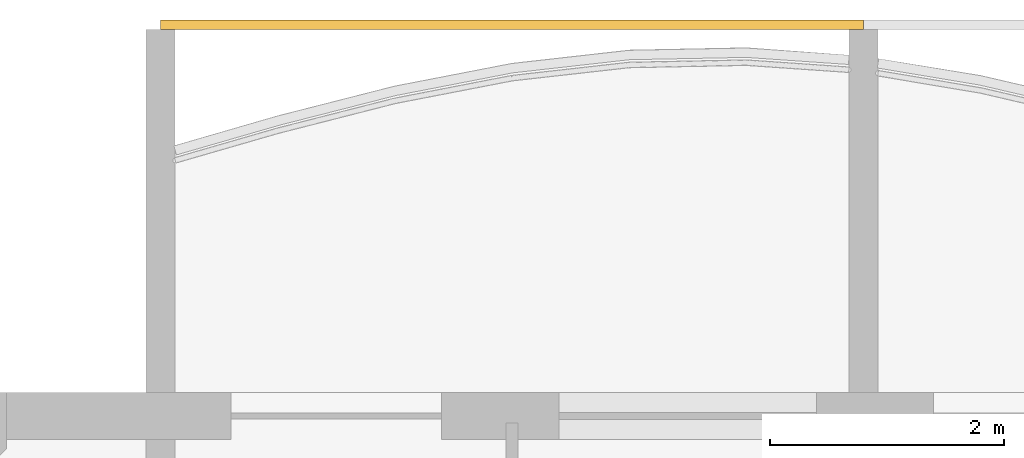
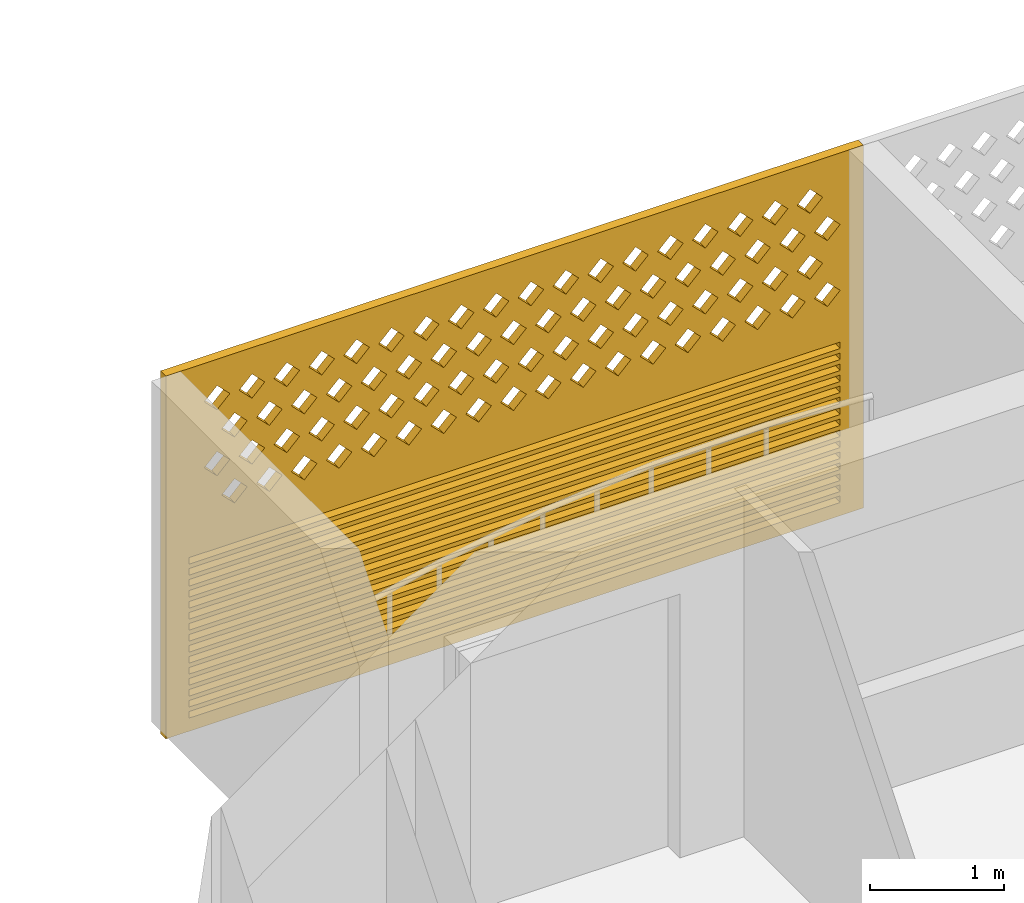
# One storey, part 17 of 27: 1 covering.
"""IFC4 building model written with IfcOpenShell, lengths in metres."""

import ifcopenshell
import ifcopenshell.guid

model = None  # the IFC model being written
_history = None  # IfcOwnerHistory: only IFC2X3 demands one
_inside = {}  # id of a spatial element -> (the spatial element, [elements in it])
_under = {}  # id of a project, library or spatial element -> (it, [spatial elements below it])
_declared = {}  # id of a project -> (the project, [libraries it declares])
_typed = {}  # id of a type object -> (the type object, [elements of that type])
_made_of = {}  # id of a material, layer set ... -> (it, [elements and type objects made of it])


def new_model(schema):
    """Start an empty IFC model of exactly this schema.

    Asked for "IFC4X3", IfcOpenShell would pick the latest addendum, in which some entities
    have other attributes; the version numbers below select the first issue.
    IFC2X3 requires an IfcOwnerHistory on every rooted entity: one is made here for all.
    """
    global model, _history
    if schema == "IFC4X3":
        model = ifcopenshell.file(schema_version=(4, 3, 0, 0))
    else:
        model = ifcopenshell.file(schema=schema)
    _inside.clear()
    _under.clear()
    _declared.clear()
    _typed.clear()
    _made_of.clear()
    _history = None
    if model.schema == "IFC2X3":
        org = make("IfcOrganization", Name="unknown")
        user = make(
            "IfcPersonAndOrganization",
            ThePerson=make("IfcPerson", FamilyName="unknown"),
            TheOrganization=org,
        )
        app = make(
            "IfcApplication",
            ApplicationDeveloper=org,
            Version="unknown",
            ApplicationFullName="unknown",
            ApplicationIdentifier="unknown",
        )
        _history = make(
            "IfcOwnerHistory",
            OwningUser=user,
            OwningApplication=app,
            ChangeAction="ADDED",
            CreationDate=0,
        )
    return model


def make(cls, **values):
    """One entity of the class cls with the attributes given. An attribute that is None is left unset."""
    return model.create_entity(
        cls, **{name: value for name, value in values.items() if value is not None}
    )


def rooted(cls, **values):
    """An entity with a GlobalId (a new one), such as an element, a storey or a relation."""
    return make(cls, GlobalId=ifcopenshell.guid.new(), OwnerHistory=_history, **values)


def si_unit(unit_type, name, prefix=None):
    """IfcSIUnit, for example si_unit("LENGTHUNIT", "METRE", prefix="MILLI")."""
    return make("IfcSIUnit", UnitType=unit_type, Prefix=prefix, Name=name)


def assignment(units):
    """IfcUnitAssignment: the units of a project."""
    return None if units is None else make("IfcUnitAssignment", Units=units)


def point(xyz):
    """IfcCartesianPoint."""
    return None if xyz is None else make("IfcCartesianPoint", Coordinates=xyz)


def direction(xyz):
    """IfcDirection."""
    return None if xyz is None else make("IfcDirection", DirectionRatios=xyz)


def frame(location, z_axis=None, x_axis=None):
    """IfcAxis2Placement3D, a coordinate frame: its origin and axes. An axis left out is left unset."""
    return make(
        "IfcAxis2Placement3D",
        Location=point(location),
        Axis=direction(z_axis),
        RefDirection=direction(x_axis),
    )


def origin():
    """The frame at (0, 0, 0) with its axes left unset."""
    return frame((0.0, 0.0, 0.0))


def place(relative_to, where):
    """IfcLocalPlacement: puts the frame where relative to a parent placement (None: the world)."""
    return make(
        "IfcLocalPlacement", PlacementRelTo=relative_to, RelativePlacement=where
    )


def context(
    kind, dimensions, precision=None, world=None, true_north=None, identifier=None
):
    """IfcGeometricRepresentationContext, for example the 3D "Model" context."""
    return make(
        "IfcGeometricRepresentationContext",
        ContextIdentifier=identifier,
        ContextType=kind,
        CoordinateSpaceDimension=dimensions,
        Precision=precision,
        WorldCoordinateSystem=world,
        TrueNorth=true_north,
    )


def subcontext(parent, identifier, kind, view, scale=None):
    """IfcGeometricRepresentationSubContext, for example "Body" below "Model"."""
    return make(
        "IfcGeometricRepresentationSubContext",
        ContextIdentifier=identifier,
        ContextType=kind,
        ParentContext=parent,
        TargetScale=scale,
        TargetView=view,
    )


def project(units=None, contexts=None):
    """IfcProject with its units and contexts."""
    return rooted(
        "IfcProject",
        Name="project",
        RepresentationContexts=contexts,
        UnitsInContext=assignment(units),
    )


def spatial(cls, under=None, at=None, **own):
    """A site, building, storey or space (cls), placed at a placement, below another one or the project."""
    s = rooted(cls, ObjectPlacement=at, **own)
    if under is not None:
        _under.setdefault(under.id(), (under, []))[1].append(s)
    return s


def polyline(points):
    """IfcPolyline through the points."""
    return make("IfcPolyline", Points=[point(p) for p in points])


def outline(outer, holes=None, kind="AREA"):
    """IfcArbitraryClosedProfileDef: a profile drawn as a closed curve; with holes, ...WithVoids."""
    if holes is None:
        return make("IfcArbitraryClosedProfileDef", ProfileType=kind, OuterCurve=outer)
    return make(
        "IfcArbitraryProfileDefWithVoids",
        ProfileType=kind,
        OuterCurve=outer,
        InnerCurves=holes,
    )


def extrude(swept, where, along, depth):
    """IfcExtrudedAreaSolid: the profile swept, set in the frame where, extruded along a direction by depth."""
    return make(
        "IfcExtrudedAreaSolid",
        SweptArea=swept,
        Position=where,
        ExtrudedDirection=direction(along),
        Depth=depth,
    )


def shape(context_of_items, identifier, shape_type, items):
    """IfcShapeRepresentation: the items that make up one representation, for example the "Body"."""
    return make(
        "IfcShapeRepresentation",
        ContextOfItems=context_of_items,
        RepresentationIdentifier=identifier,
        RepresentationType=shape_type,
        Items=items,
    )


def source(mapping_origin, context_of_items, identifier, shape_type, items):
    """IfcRepresentationMap: a shape defined once, which mapped items show again and again."""
    return make(
        "IfcRepresentationMap",
        MappingOrigin=mapping_origin,
        MappedRepresentation=shape(context_of_items, identifier, shape_type, items),
    )


def transform(
    local_origin,
    x_axis=None,
    y_axis=None,
    z_axis=None,
    scale=None,
    scale2=None,
    scale3=None,
    uniform=True,
):
    """IfcCartesianTransformationOperator3D, or its non-uniform kind. x_axis, y_axis, z_axis: its Axis1, 2, 3."""
    if uniform:
        return make(
            "IfcCartesianTransformationOperator3D",
            Axis1=direction(x_axis),
            Axis2=direction(y_axis),
            LocalOrigin=point(local_origin),
            Scale=scale,
            Axis3=direction(z_axis),
        )
    return make(
        "IfcCartesianTransformationOperator3DnonUniform",
        Axis1=direction(x_axis),
        Axis2=direction(y_axis),
        LocalOrigin=point(local_origin),
        Scale=scale,
        Axis3=direction(z_axis),
        Scale2=scale2,
        Scale3=scale3,
    )


def mapped(mapping_source, mapping_target):
    """IfcMappedItem: shows the shape of a source again, moved by a transform."""
    return make(
        "IfcMappedItem", MappingSource=mapping_source, MappingTarget=mapping_target
    )


def material(Name=None, Category=None):
    """IfcMaterial."""
    return make("IfcMaterial", Name=Name, Category=Category)


def material_profile(
    of_material, cross_section, Name=None, Category=None, Priority=None
):
    """IfcMaterialProfile: a cross section and its material."""
    return make(
        "IfcMaterialProfile",
        Name=Name,
        Material=of_material,
        Profile=cross_section,
        Priority=Priority,
        Category=Category,
    )


def profile_set(profiles, Name=None, composite=None):
    """IfcMaterialProfileSet."""
    return make(
        "IfcMaterialProfileSet",
        Name=Name,
        MaterialProfiles=profiles,
        CompositeProfile=composite,
    )


def made_of(thing, what):
    """Note that an element or type object is made of a material, layer set ...; save() writes the relation."""
    if what is not None:
        _made_of.setdefault(what.id(), (what, []))[1].append(thing)
    return thing


def type_object(cls, material=None, **own):
    """A type object (cls), such as IfcWallType, which elements share."""
    return made_of(rooted(cls, **own), material)


def element(
    cls,
    number,
    at=None,
    inside=None,
    cuts=None,
    type_object=None,
    material=None,
    context=None,
    identifier="Body",
    shape_type=None,
    held_by="IfcProductDefinitionShape",
    body=None,
    shapes=None,
    **own,
):
    """One element of the class cls, such as IfcWall. Its Tag is "e" and its number.

    at: its placement. inside: the storey or other place that contains it. cuts: it is an
    opening in that element (IfcRelVoidsElement). A single representation is given by context,
    identifier, shape_type and body (its items); several are given by shapes. held_by: the class
    of the entity that holds the representations. save() writes the other relations.
    """
    e = rooted(cls, Tag="e%d" % number, ObjectPlacement=at, **own)
    if body is not None:
        shapes = [shape(context, identifier, shape_type, body)]
    if shapes is not None:
        e.Representation = make(held_by, Representations=shapes)
    if inside is not None:
        _inside.setdefault(inside.id(), (inside, []))[1].append(e)
    if cuts is not None:
        rooted(
            "IfcRelVoidsElement", RelatingBuildingElement=cuts, RelatedOpeningElement=e
        )
    if type_object is not None:
        _typed.setdefault(type_object.id(), (type_object, []))[1].append(e)
    return made_of(e, material)


def aggregate(whole, parts):
    """IfcRelAggregates: a whole, such as a stair, and the parts it consists of."""
    return rooted("IfcRelAggregates", RelatingObject=whole, RelatedObjects=parts)


def save(model, path):
    """Write the relations noted so far, then the file.

    IfcRelAggregates (storeys below a building ...), IfcRelContainedInSpatialStructure (elements
    in a storey), IfcRelDefinesByType, IfcRelAssociatesMaterial and IfcRelDeclares: one each for
    every whole, place, type object, material and project.
    """
    for whole, parts in _under.values():
        aggregate(whole, parts)
    for where, things in _inside.values():
        rooted(
            "IfcRelContainedInSpatialStructure",
            RelatedElements=things,
            RelatingStructure=where,
        )
    for kind, things in _typed.values():
        rooted("IfcRelDefinesByType", RelatedObjects=things, RelatingType=kind)
    for what, things in _made_of.values():
        rooted("IfcRelAssociatesMaterial", RelatedObjects=things, RelatingMaterial=what)
    for by, libraries in _declared.values():
        rooted("IfcRelDeclares", RelatingContext=by, RelatedDefinitions=libraries)
    model.write(path)


model = new_model("IFC4")

# Units and contexts
model_context = context("Model", 3, precision=1e-05, world=origin(), true_north=direction((0.0, 1.0)))
body_context = subcontext(model_context, "Body", "Model", "MODEL_VIEW")
ifc_project = project(units=[si_unit("LENGTHUNIT", "METRE"), si_unit("AREAUNIT", "SQUARE_METRE"), si_unit("VOLUMEUNIT", "CUBIC_METRE"), si_unit("PLANEANGLEUNIT", "RADIAN"), si_unit("MASSUNIT", "GRAM", prefix="KILO")], contexts=[model_context])

# Site, building, storey
site_placement = place(None, origin())
site = spatial("IfcSite", under=ifc_project, at=site_placement, CompositionType="ELEMENT")
building_placement = place(site_placement, origin())
building = spatial("IfcBuilding", under=site, at=building_placement, Name="Poui Terraces", CompositionType="ELEMENT")
storey_placement = place(building_placement, frame((0.0, 0.0, 198.300048828125)))
storey = spatial("IfcBuildingStorey", under=building, at=storey_placement, Name="L55", CompositionType="ELEMENT", Elevation=198.300048828125)

# Covering
ifc_material = material(Name="Terracotta screen", Category="masonry")
ifc_material_profile = material_profile(ifc_material, outline(polyline([(-3.0, -1.64990234375), (3.0, -1.64990234375), (3.0, 1.64990234375), (-3.0, 1.64990234375), (-3.0, -1.64990234375)]), holes=[polyline([(-2.800048828125, 0.39990234375), (-2.68994140625, 0.2900390625), (-2.580078125, 0.39990234375), (-2.68994140625, 0.510009765625), (-2.800048828125, 0.39990234375)]), polyline([(-2.5, 0.39990234375), (-2.389892578125, 0.2900390625), (-2.280029296875, 0.39990234375), (-2.389892578125, 0.510009765625), (-2.5, 0.39990234375)]), polyline([(-2.199951171875, 0.39990234375), (-2.090087890625, 0.2900390625), (-1.97998046875, 0.39990234375), (-2.090087890625, 0.510009765625), (-2.199951171875, 0.39990234375)]), polyline([(-1.89990234375, 0.39990234375), (-1.7900390625, 0.2900390625), (-1.679931640625, 0.39990234375), (-1.7900390625, 0.510009765625), (-1.89990234375, 0.39990234375)]), polyline([(-1.60009765625, 0.39990234375), (-1.489990234375, 0.2900390625), (-1.3798828125, 0.39990234375), (-1.489990234375, 0.510009765625), (-1.60009765625, 0.39990234375)]), polyline([(-1.300048828125, 0.39990234375), (-1.18994140625, 0.2900390625), (-1.080078125, 0.39990234375), (-1.18994140625, 0.510009765625), (-1.300048828125, 0.39990234375)]), polyline([(-1.0, 0.39990234375), (-0.889892578125, 0.2900390625), (-0.780029296875, 0.39990234375), (-0.889892578125, 0.510009765625), (-1.0, 0.39990234375)]), polyline([(-0.699951171875, 0.39990234375), (-0.590087890625, 0.2900390625), (-0.47998046875, 0.39990234375), (-0.590087890625, 0.510009765625), (-0.699951171875, 0.39990234375)]), polyline([(-0.39990234375, 0.39990234375), (-0.2900390625, 0.2900390625), (-0.179931640625, 0.39990234375), (-0.2900390625, 0.510009765625), (-0.39990234375, 0.39990234375)]), polyline([(-0.10009765625, 0.39990234375), (0.010009765625, 0.2900390625), (0.1201171875, 0.39990234375), (0.010009765625, 0.510009765625), (-0.10009765625, 0.39990234375)]), polyline([(0.199951171875, 0.39990234375), (0.31005859375, 0.2900390625), (0.419921875, 0.39990234375), (0.31005859375, 0.510009765625), (0.199951171875, 0.39990234375)]), polyline([(0.5, 0.39990234375), (0.610107421875, 0.2900390625), (0.719970703125, 0.39990234375), (0.610107421875, 0.510009765625), (0.5, 0.39990234375)]), polyline([(0.800048828125, 0.39990234375), (0.909912109375, 0.2900390625), (1.02001953125, 0.39990234375), (0.909912109375, 0.510009765625), (0.800048828125, 0.39990234375)]), polyline([(1.10009765625, 0.39990234375), (1.2099609375, 0.2900390625), (1.320068359375, 0.39990234375), (1.2099609375, 0.510009765625), (1.10009765625, 0.39990234375)]), polyline([(1.39990234375, 0.39990234375), (1.510009765625, 0.2900390625), (1.6201171875, 0.39990234375), (1.510009765625, 0.510009765625), (1.39990234375, 0.39990234375)]), polyline([(1.699951171875, 0.39990234375), (1.81005859375, 0.2900390625), (1.919921875, 0.39990234375), (1.81005859375, 0.510009765625), (1.699951171875, 0.39990234375)]), polyline([(2.0, 0.39990234375), (2.110107421875, 0.2900390625), (2.219970703125, 0.39990234375), (2.110107421875, 0.510009765625), (2.0, 0.39990234375)]), polyline([(2.300048828125, 0.39990234375), (2.409912109375, 0.2900390625), (2.52001953125, 0.39990234375), (2.409912109375, 0.510009765625), (2.300048828125, 0.39990234375)]), polyline([(-2.64990234375, 0.699951171875), (-2.5400390625, 0.590087890625), (-2.429931640625, 0.699951171875), (-2.5400390625, 0.81005859375), (-2.64990234375, 0.699951171875)]), polyline([(-2.35009765625, 0.699951171875), (-2.239990234375, 0.590087890625), (-2.1298828125, 0.699951171875), (-2.239990234375, 0.81005859375), (-2.35009765625, 0.699951171875)]), polyline([(-2.050048828125, 0.699951171875), (-1.93994140625, 0.590087890625), (-1.830078125, 0.699951171875), (-1.93994140625, 0.81005859375), (-2.050048828125, 0.699951171875)]), polyline([(-1.75, 0.699951171875), (-1.639892578125, 0.590087890625), (-1.530029296875, 0.699951171875), (-1.639892578125, 0.81005859375), (-1.75, 0.699951171875)]), polyline([(-1.449951171875, 0.699951171875), (-1.340087890625, 0.590087890625), (-1.22998046875, 0.699951171875), (-1.340087890625, 0.81005859375), (-1.449951171875, 0.699951171875)]), polyline([(-1.14990234375, 0.699951171875), (-1.0400390625, 0.590087890625), (-0.929931640625, 0.699951171875), (-1.0400390625, 0.81005859375), (-1.14990234375, 0.699951171875)]), polyline([(-0.85009765625, 0.699951171875), (-0.739990234375, 0.590087890625), (-0.6298828125, 0.699951171875), (-0.739990234375, 0.81005859375), (-0.85009765625, 0.699951171875)]), polyline([(-0.550048828125, 0.699951171875), (-0.43994140625, 0.590087890625), (-0.330078125, 0.699951171875), (-0.43994140625, 0.81005859375), (-0.550048828125, 0.699951171875)]), polyline([(-0.25, 0.699951171875), (-0.139892578125, 0.590087890625), (-0.030029296875, 0.699951171875), (-0.139892578125, 0.81005859375), (-0.25, 0.699951171875)]), polyline([(0.050048828125, 0.699951171875), (0.159912109375, 0.590087890625), (0.27001953125, 0.699951171875), (0.159912109375, 0.81005859375), (0.050048828125, 0.699951171875)]), polyline([(0.35009765625, 0.699951171875), (0.4599609375, 0.590087890625), (0.570068359375, 0.699951171875), (0.4599609375, 0.81005859375), (0.35009765625, 0.699951171875)]), polyline([(0.64990234375, 0.699951171875), (0.760009765625, 0.590087890625), (0.8701171875, 0.699951171875), (0.760009765625, 0.81005859375), (0.64990234375, 0.699951171875)]), polyline([(0.949951171875, 0.699951171875), (1.06005859375, 0.590087890625), (1.169921875, 0.699951171875), (1.06005859375, 0.81005859375), (0.949951171875, 0.699951171875)]), polyline([(1.25, 0.699951171875), (1.360107421875, 0.590087890625), (1.469970703125, 0.699951171875), (1.360107421875, 0.81005859375), (1.25, 0.699951171875)]), polyline([(1.550048828125, 0.699951171875), (1.659912109375, 0.590087890625), (1.77001953125, 0.699951171875), (1.659912109375, 0.81005859375), (1.550048828125, 0.699951171875)]), polyline([(1.85009765625, 0.699951171875), (1.9599609375, 0.590087890625), (2.070068359375, 0.699951171875), (1.9599609375, 0.81005859375), (1.85009765625, 0.699951171875)]), polyline([(2.14990234375, 0.699951171875), (2.260009765625, 0.590087890625), (2.3701171875, 0.699951171875), (2.260009765625, 0.81005859375), (2.14990234375, 0.699951171875)]), polyline([(2.449951171875, 0.699951171875), (2.56005859375, 0.590087890625), (2.669921875, 0.699951171875), (2.56005859375, 0.81005859375), (2.449951171875, 0.699951171875)]), polyline([(-2.800048828125, 1.0), (-2.68994140625, 0.889892578125), (-2.580078125, 1.0), (-2.68994140625, 1.110107421875), (-2.800048828125, 1.0)]), polyline([(-2.5, 1.0), (-2.389892578125, 0.889892578125), (-2.280029296875, 1.0), (-2.389892578125, 1.110107421875), (-2.5, 1.0)]), polyline([(-2.199951171875, 1.0), (-2.090087890625, 0.889892578125), (-1.97998046875, 1.0), (-2.090087890625, 1.110107421875), (-2.199951171875, 1.0)]), polyline([(-1.89990234375, 1.0), (-1.7900390625, 0.889892578125), (-1.679931640625, 1.0), (-1.7900390625, 1.110107421875), (-1.89990234375, 1.0)]), polyline([(-1.60009765625, 1.0), (-1.489990234375, 0.889892578125), (-1.3798828125, 1.0), (-1.489990234375, 1.110107421875), (-1.60009765625, 1.0)]), polyline([(-1.300048828125, 1.0), (-1.18994140625, 0.889892578125), (-1.080078125, 1.0), (-1.18994140625, 1.110107421875), (-1.300048828125, 1.0)]), polyline([(-1.0, 1.0), (-0.889892578125, 0.889892578125), (-0.780029296875, 1.0), (-0.889892578125, 1.110107421875), (-1.0, 1.0)]), polyline([(-0.699951171875, 1.0), (-0.590087890625, 0.889892578125), (-0.47998046875, 1.0), (-0.590087890625, 1.110107421875), (-0.699951171875, 1.0)]), polyline([(-0.39990234375, 1.0), (-0.2900390625, 0.889892578125), (-0.179931640625, 1.0), (-0.2900390625, 1.110107421875), (-0.39990234375, 1.0)]), polyline([(-0.10009765625, 1.0), (0.010009765625, 0.889892578125), (0.1201171875, 1.0), (0.010009765625, 1.110107421875), (-0.10009765625, 1.0)]), polyline([(0.199951171875, 1.0), (0.31005859375, 0.889892578125), (0.419921875, 1.0), (0.31005859375, 1.110107421875), (0.199951171875, 1.0)]), polyline([(0.5, 1.0), (0.610107421875, 0.889892578125), (0.719970703125, 1.0), (0.610107421875, 1.110107421875), (0.5, 1.0)]), polyline([(0.800048828125, 1.0), (0.909912109375, 0.889892578125), (1.02001953125, 1.0), (0.909912109375, 1.110107421875), (0.800048828125, 1.0)]), polyline([(1.10009765625, 1.0), (1.2099609375, 0.889892578125), (1.320068359375, 1.0), (1.2099609375, 1.110107421875), (1.10009765625, 1.0)]), polyline([(1.39990234375, 1.0), (1.510009765625, 0.889892578125), (1.6201171875, 1.0), (1.510009765625, 1.110107421875), (1.39990234375, 1.0)]), polyline([(1.699951171875, 1.0), (1.81005859375, 0.889892578125), (1.919921875, 1.0), (1.81005859375, 1.110107421875), (1.699951171875, 1.0)]), polyline([(2.0, 1.0), (2.110107421875, 0.889892578125), (2.219970703125, 1.0), (2.110107421875, 1.110107421875), (2.0, 1.0)]), polyline([(2.300048828125, 1.0), (2.409912109375, 0.889892578125), (2.52001953125, 1.0), (2.409912109375, 1.110107421875), (2.300048828125, 1.0)]), polyline([(-2.64990234375, 1.300048828125), (-2.5400390625, 1.18994140625), (-2.429931640625, 1.300048828125), (-2.5400390625, 1.409912109375), (-2.64990234375, 1.300048828125)]), polyline([(-2.35009765625, 1.300048828125), (-2.239990234375, 1.18994140625), (-2.1298828125, 1.300048828125), (-2.239990234375, 1.409912109375), (-2.35009765625, 1.300048828125)]), polyline([(-2.050048828125, 1.300048828125), (-1.93994140625, 1.18994140625), (-1.830078125, 1.300048828125), (-1.93994140625, 1.409912109375), (-2.050048828125, 1.300048828125)]), polyline([(-1.75, 1.300048828125), (-1.639892578125, 1.18994140625), (-1.530029296875, 1.300048828125), (-1.639892578125, 1.409912109375), (-1.75, 1.300048828125)]), polyline([(-1.449951171875, 1.300048828125), (-1.340087890625, 1.18994140625), (-1.22998046875, 1.300048828125), (-1.340087890625, 1.409912109375), (-1.449951171875, 1.300048828125)]), polyline([(-1.14990234375, 1.300048828125), (-1.0400390625, 1.18994140625), (-0.929931640625, 1.300048828125), (-1.0400390625, 1.409912109375), (-1.14990234375, 1.300048828125)]), polyline([(-0.85009765625, 1.300048828125), (-0.739990234375, 1.18994140625), (-0.6298828125, 1.300048828125), (-0.739990234375, 1.409912109375), (-0.85009765625, 1.300048828125)]), polyline([(-0.550048828125, 1.300048828125), (-0.43994140625, 1.18994140625), (-0.330078125, 1.300048828125), (-0.43994140625, 1.409912109375), (-0.550048828125, 1.300048828125)]), polyline([(-0.25, 1.300048828125), (-0.139892578125, 1.18994140625), (-0.030029296875, 1.300048828125), (-0.139892578125, 1.409912109375), (-0.25, 1.300048828125)]), polyline([(0.050048828125, 1.300048828125), (0.159912109375, 1.18994140625), (0.27001953125, 1.300048828125), (0.159912109375, 1.409912109375), (0.050048828125, 1.300048828125)]), polyline([(0.35009765625, 1.300048828125), (0.4599609375, 1.18994140625), (0.570068359375, 1.300048828125), (0.4599609375, 1.409912109375), (0.35009765625, 1.300048828125)]), polyline([(0.64990234375, 1.300048828125), (0.760009765625, 1.18994140625), (0.8701171875, 1.300048828125), (0.760009765625, 1.409912109375), (0.64990234375, 1.300048828125)]), polyline([(0.949951171875, 1.300048828125), (1.06005859375, 1.18994140625), (1.169921875, 1.300048828125), (1.06005859375, 1.409912109375), (0.949951171875, 1.300048828125)]), polyline([(1.25, 1.300048828125), (1.360107421875, 1.18994140625), (1.469970703125, 1.300048828125), (1.360107421875, 1.409912109375), (1.25, 1.300048828125)]), polyline([(1.550048828125, 1.300048828125), (1.659912109375, 1.18994140625), (1.77001953125, 1.300048828125), (1.659912109375, 1.409912109375), (1.550048828125, 1.300048828125)]), polyline([(1.85009765625, 1.300048828125), (1.9599609375, 1.18994140625), (2.070068359375, 1.300048828125), (1.9599609375, 1.409912109375), (1.85009765625, 1.300048828125)]), polyline([(2.14990234375, 1.300048828125), (2.260009765625, 1.18994140625), (2.3701171875, 1.300048828125), (2.260009765625, 1.409912109375), (2.14990234375, 1.300048828125)]), polyline([(2.449951171875, 1.300048828125), (2.56005859375, 1.18994140625), (2.669921875, 1.300048828125), (2.56005859375, 1.409912109375), (2.449951171875, 1.300048828125)]), polyline([(-2.800048828125, -1.530029296875), (2.800048828125, -1.530029296875), (2.800048828125, -1.469970703125), (-2.800048828125, -1.469970703125), (-2.800048828125, -1.530029296875)]), polyline([(-2.800048828125, -1.429931640625), (2.800048828125, -1.429931640625), (2.800048828125, -1.3701171875), (-2.800048828125, -1.3701171875), (-2.800048828125, -1.429931640625)]), polyline([(-2.800048828125, -1.330078125), (2.800048828125, -1.330078125), (2.800048828125, -1.27001953125), (-2.800048828125, -1.27001953125), (-2.800048828125, -1.330078125)]), polyline([(-2.800048828125, -1.22998046875), (2.800048828125, -1.22998046875), (2.800048828125, -1.169921875), (-2.800048828125, -1.169921875), (-2.800048828125, -1.22998046875)]), polyline([(-2.800048828125, -1.1298828125), (2.800048828125, -1.1298828125), (2.800048828125, -1.070068359375), (-2.800048828125, -1.070068359375), (-2.800048828125, -1.1298828125)]), polyline([(-2.800048828125, -1.030029296875), (2.800048828125, -1.030029296875), (2.800048828125, -0.969970703125), (-2.800048828125, -0.969970703125), (-2.800048828125, -1.030029296875)]), polyline([(-2.800048828125, -0.929931640625), (2.800048828125, -0.929931640625), (2.800048828125, -0.8701171875), (-2.800048828125, -0.8701171875), (-2.800048828125, -0.929931640625)]), polyline([(-2.800048828125, -0.830078125), (2.800048828125, -0.830078125), (2.800048828125, -0.77001953125), (-2.800048828125, -0.77001953125), (-2.800048828125, -0.830078125)]), polyline([(-2.800048828125, -0.72998046875), (2.800048828125, -0.72998046875), (2.800048828125, -0.669921875), (-2.800048828125, -0.669921875), (-2.800048828125, -0.72998046875)]), polyline([(-2.800048828125, -0.6298828125), (2.800048828125, -0.6298828125), (2.800048828125, -0.570068359375), (-2.800048828125, -0.570068359375), (-2.800048828125, -0.6298828125)]), polyline([(-2.800048828125, -0.530029296875), (2.800048828125, -0.530029296875), (2.800048828125, -0.469970703125), (-2.800048828125, -0.469970703125), (-2.800048828125, -0.530029296875)]), polyline([(-2.800048828125, -0.429931640625), (2.800048828125, -0.429931640625), (2.800048828125, -0.3701171875), (-2.800048828125, -0.3701171875), (-2.800048828125, -0.429931640625)]), polyline([(-2.800048828125, -0.330078125), (2.800048828125, -0.330078125), (2.800048828125, -0.27001953125), (-2.800048828125, -0.27001953125), (-2.800048828125, -0.330078125)]), polyline([(-2.800048828125, -0.22998046875), (2.800048828125, -0.22998046875), (2.800048828125, -0.169921875), (-2.800048828125, -0.169921875), (-2.800048828125, -0.22998046875)]), polyline([(-2.800048828125, -0.1298828125), (2.800048828125, -0.1298828125), (2.800048828125, -0.070068359375), (-2.800048828125, -0.070068359375), (-2.800048828125, -0.1298828125)])]), Name="TERRACOTTA SCREEN AND JALOUSIE LOUVRE 6000X3300")
ifc_profile_set = profile_set([ifc_material_profile], Name="Terracotta screen")
covering_type = type_object("IfcCoveringType", Name="TERRACOTTA SCREEN AND JALOUSIE LOUVRE 6000X3300", PredefinedType="CLADDING", material=ifc_profile_set)
shared_shape = source(origin(), body_context, "Body", "SweptSolid", [
    extrude(outline(polyline([(-3.0, -1.64990234375), (3.0, -1.64990234375), (3.0, 1.64990234375), (-3.0, 1.64990234375), (-3.0, -1.64990234375)]), holes=[polyline([(-2.800048828125, 0.39990234375), (-2.68994140625, 0.2900390625), (-2.580078125, 0.39990234375), (-2.68994140625, 0.510009765625), (-2.800048828125, 0.39990234375)]), polyline([(-2.5, 0.39990234375), (-2.389892578125, 0.2900390625), (-2.280029296875, 0.39990234375), (-2.389892578125, 0.510009765625), (-2.5, 0.39990234375)]), polyline([(-2.199951171875, 0.39990234375), (-2.090087890625, 0.2900390625), (-1.97998046875, 0.39990234375), (-2.090087890625, 0.510009765625), (-2.199951171875, 0.39990234375)]), polyline([(-1.89990234375, 0.39990234375), (-1.7900390625, 0.2900390625), (-1.679931640625, 0.39990234375), (-1.7900390625, 0.510009765625), (-1.89990234375, 0.39990234375)]), polyline([(-1.60009765625, 0.39990234375), (-1.489990234375, 0.2900390625), (-1.3798828125, 0.39990234375), (-1.489990234375, 0.510009765625), (-1.60009765625, 0.39990234375)]), polyline([(-1.300048828125, 0.39990234375), (-1.18994140625, 0.2900390625), (-1.080078125, 0.39990234375), (-1.18994140625, 0.510009765625), (-1.300048828125, 0.39990234375)]), polyline([(-1.0, 0.39990234375), (-0.889892578125, 0.2900390625), (-0.780029296875, 0.39990234375), (-0.889892578125, 0.510009765625), (-1.0, 0.39990234375)]), polyline([(-0.699951171875, 0.39990234375), (-0.590087890625, 0.2900390625), (-0.47998046875, 0.39990234375), (-0.590087890625, 0.510009765625), (-0.699951171875, 0.39990234375)]), polyline([(-0.39990234375, 0.39990234375), (-0.2900390625, 0.2900390625), (-0.179931640625, 0.39990234375), (-0.2900390625, 0.510009765625), (-0.39990234375, 0.39990234375)]), polyline([(-0.10009765625, 0.39990234375), (0.010009765625, 0.2900390625), (0.1201171875, 0.39990234375), (0.010009765625, 0.510009765625), (-0.10009765625, 0.39990234375)]), polyline([(0.199951171875, 0.39990234375), (0.31005859375, 0.2900390625), (0.419921875, 0.39990234375), (0.31005859375, 0.510009765625), (0.199951171875, 0.39990234375)]), polyline([(0.5, 0.39990234375), (0.610107421875, 0.2900390625), (0.719970703125, 0.39990234375), (0.610107421875, 0.510009765625), (0.5, 0.39990234375)]), polyline([(0.800048828125, 0.39990234375), (0.909912109375, 0.2900390625), (1.02001953125, 0.39990234375), (0.909912109375, 0.510009765625), (0.800048828125, 0.39990234375)]), polyline([(1.10009765625, 0.39990234375), (1.2099609375, 0.2900390625), (1.320068359375, 0.39990234375), (1.2099609375, 0.510009765625), (1.10009765625, 0.39990234375)]), polyline([(1.39990234375, 0.39990234375), (1.510009765625, 0.2900390625), (1.6201171875, 0.39990234375), (1.510009765625, 0.510009765625), (1.39990234375, 0.39990234375)]), polyline([(1.699951171875, 0.39990234375), (1.81005859375, 0.2900390625), (1.919921875, 0.39990234375), (1.81005859375, 0.510009765625), (1.699951171875, 0.39990234375)]), polyline([(2.0, 0.39990234375), (2.110107421875, 0.2900390625), (2.219970703125, 0.39990234375), (2.110107421875, 0.510009765625), (2.0, 0.39990234375)]), polyline([(2.300048828125, 0.39990234375), (2.409912109375, 0.2900390625), (2.52001953125, 0.39990234375), (2.409912109375, 0.510009765625), (2.300048828125, 0.39990234375)]), polyline([(-2.64990234375, 0.699951171875), (-2.5400390625, 0.590087890625), (-2.429931640625, 0.699951171875), (-2.5400390625, 0.81005859375), (-2.64990234375, 0.699951171875)]), polyline([(-2.35009765625, 0.699951171875), (-2.239990234375, 0.590087890625), (-2.1298828125, 0.699951171875), (-2.239990234375, 0.81005859375), (-2.35009765625, 0.699951171875)]), polyline([(-2.050048828125, 0.699951171875), (-1.93994140625, 0.590087890625), (-1.830078125, 0.699951171875), (-1.93994140625, 0.81005859375), (-2.050048828125, 0.699951171875)]), polyline([(-1.75, 0.699951171875), (-1.639892578125, 0.590087890625), (-1.530029296875, 0.699951171875), (-1.639892578125, 0.81005859375), (-1.75, 0.699951171875)]), polyline([(-1.449951171875, 0.699951171875), (-1.340087890625, 0.590087890625), (-1.22998046875, 0.699951171875), (-1.340087890625, 0.81005859375), (-1.449951171875, 0.699951171875)]), polyline([(-1.14990234375, 0.699951171875), (-1.0400390625, 0.590087890625), (-0.929931640625, 0.699951171875), (-1.0400390625, 0.81005859375), (-1.14990234375, 0.699951171875)]), polyline([(-0.85009765625, 0.699951171875), (-0.739990234375, 0.590087890625), (-0.6298828125, 0.699951171875), (-0.739990234375, 0.81005859375), (-0.85009765625, 0.699951171875)]), polyline([(-0.550048828125, 0.699951171875), (-0.43994140625, 0.590087890625), (-0.330078125, 0.699951171875), (-0.43994140625, 0.81005859375), (-0.550048828125, 0.699951171875)]), polyline([(-0.25, 0.699951171875), (-0.139892578125, 0.590087890625), (-0.030029296875, 0.699951171875), (-0.139892578125, 0.81005859375), (-0.25, 0.699951171875)]), polyline([(0.050048828125, 0.699951171875), (0.159912109375, 0.590087890625), (0.27001953125, 0.699951171875), (0.159912109375, 0.81005859375), (0.050048828125, 0.699951171875)]), polyline([(0.35009765625, 0.699951171875), (0.4599609375, 0.590087890625), (0.570068359375, 0.699951171875), (0.4599609375, 0.81005859375), (0.35009765625, 0.699951171875)]), polyline([(0.64990234375, 0.699951171875), (0.760009765625, 0.590087890625), (0.8701171875, 0.699951171875), (0.760009765625, 0.81005859375), (0.64990234375, 0.699951171875)]), polyline([(0.949951171875, 0.699951171875), (1.06005859375, 0.590087890625), (1.169921875, 0.699951171875), (1.06005859375, 0.81005859375), (0.949951171875, 0.699951171875)]), polyline([(1.25, 0.699951171875), (1.360107421875, 0.590087890625), (1.469970703125, 0.699951171875), (1.360107421875, 0.81005859375), (1.25, 0.699951171875)]), polyline([(1.550048828125, 0.699951171875), (1.659912109375, 0.590087890625), (1.77001953125, 0.699951171875), (1.659912109375, 0.81005859375), (1.550048828125, 0.699951171875)]), polyline([(1.85009765625, 0.699951171875), (1.9599609375, 0.590087890625), (2.070068359375, 0.699951171875), (1.9599609375, 0.81005859375), (1.85009765625, 0.699951171875)]), polyline([(2.14990234375, 0.699951171875), (2.260009765625, 0.590087890625), (2.3701171875, 0.699951171875), (2.260009765625, 0.81005859375), (2.14990234375, 0.699951171875)]), polyline([(2.449951171875, 0.699951171875), (2.56005859375, 0.590087890625), (2.669921875, 0.699951171875), (2.56005859375, 0.81005859375), (2.449951171875, 0.699951171875)]), polyline([(-2.800048828125, 1.0), (-2.68994140625, 0.889892578125), (-2.580078125, 1.0), (-2.68994140625, 1.110107421875), (-2.800048828125, 1.0)]), polyline([(-2.5, 1.0), (-2.389892578125, 0.889892578125), (-2.280029296875, 1.0), (-2.389892578125, 1.110107421875), (-2.5, 1.0)]), polyline([(-2.199951171875, 1.0), (-2.090087890625, 0.889892578125), (-1.97998046875, 1.0), (-2.090087890625, 1.110107421875), (-2.199951171875, 1.0)]), polyline([(-1.89990234375, 1.0), (-1.7900390625, 0.889892578125), (-1.679931640625, 1.0), (-1.7900390625, 1.110107421875), (-1.89990234375, 1.0)]), polyline([(-1.60009765625, 1.0), (-1.489990234375, 0.889892578125), (-1.3798828125, 1.0), (-1.489990234375, 1.110107421875), (-1.60009765625, 1.0)]), polyline([(-1.300048828125, 1.0), (-1.18994140625, 0.889892578125), (-1.080078125, 1.0), (-1.18994140625, 1.110107421875), (-1.300048828125, 1.0)]), polyline([(-1.0, 1.0), (-0.889892578125, 0.889892578125), (-0.780029296875, 1.0), (-0.889892578125, 1.110107421875), (-1.0, 1.0)]), polyline([(-0.699951171875, 1.0), (-0.590087890625, 0.889892578125), (-0.47998046875, 1.0), (-0.590087890625, 1.110107421875), (-0.699951171875, 1.0)]), polyline([(-0.39990234375, 1.0), (-0.2900390625, 0.889892578125), (-0.179931640625, 1.0), (-0.2900390625, 1.110107421875), (-0.39990234375, 1.0)]), polyline([(-0.10009765625, 1.0), (0.010009765625, 0.889892578125), (0.1201171875, 1.0), (0.010009765625, 1.110107421875), (-0.10009765625, 1.0)]), polyline([(0.199951171875, 1.0), (0.31005859375, 0.889892578125), (0.419921875, 1.0), (0.31005859375, 1.110107421875), (0.199951171875, 1.0)]), polyline([(0.5, 1.0), (0.610107421875, 0.889892578125), (0.719970703125, 1.0), (0.610107421875, 1.110107421875), (0.5, 1.0)]), polyline([(0.800048828125, 1.0), (0.909912109375, 0.889892578125), (1.02001953125, 1.0), (0.909912109375, 1.110107421875), (0.800048828125, 1.0)]), polyline([(1.10009765625, 1.0), (1.2099609375, 0.889892578125), (1.320068359375, 1.0), (1.2099609375, 1.110107421875), (1.10009765625, 1.0)]), polyline([(1.39990234375, 1.0), (1.510009765625, 0.889892578125), (1.6201171875, 1.0), (1.510009765625, 1.110107421875), (1.39990234375, 1.0)]), polyline([(1.699951171875, 1.0), (1.81005859375, 0.889892578125), (1.919921875, 1.0), (1.81005859375, 1.110107421875), (1.699951171875, 1.0)]), polyline([(2.0, 1.0), (2.110107421875, 0.889892578125), (2.219970703125, 1.0), (2.110107421875, 1.110107421875), (2.0, 1.0)]), polyline([(2.300048828125, 1.0), (2.409912109375, 0.889892578125), (2.52001953125, 1.0), (2.409912109375, 1.110107421875), (2.300048828125, 1.0)]), polyline([(-2.64990234375, 1.300048828125), (-2.5400390625, 1.18994140625), (-2.429931640625, 1.300048828125), (-2.5400390625, 1.409912109375), (-2.64990234375, 1.300048828125)]), polyline([(-2.35009765625, 1.300048828125), (-2.239990234375, 1.18994140625), (-2.1298828125, 1.300048828125), (-2.239990234375, 1.409912109375), (-2.35009765625, 1.300048828125)]), polyline([(-2.050048828125, 1.300048828125), (-1.93994140625, 1.18994140625), (-1.830078125, 1.300048828125), (-1.93994140625, 1.409912109375), (-2.050048828125, 1.300048828125)]), polyline([(-1.75, 1.300048828125), (-1.639892578125, 1.18994140625), (-1.530029296875, 1.300048828125), (-1.639892578125, 1.409912109375), (-1.75, 1.300048828125)]), polyline([(-1.449951171875, 1.300048828125), (-1.340087890625, 1.18994140625), (-1.22998046875, 1.300048828125), (-1.340087890625, 1.409912109375), (-1.449951171875, 1.300048828125)]), polyline([(-1.14990234375, 1.300048828125), (-1.0400390625, 1.18994140625), (-0.929931640625, 1.300048828125), (-1.0400390625, 1.409912109375), (-1.14990234375, 1.300048828125)]), polyline([(-0.85009765625, 1.300048828125), (-0.739990234375, 1.18994140625), (-0.6298828125, 1.300048828125), (-0.739990234375, 1.409912109375), (-0.85009765625, 1.300048828125)]), polyline([(-0.550048828125, 1.300048828125), (-0.43994140625, 1.18994140625), (-0.330078125, 1.300048828125), (-0.43994140625, 1.409912109375), (-0.550048828125, 1.300048828125)]), polyline([(-0.25, 1.300048828125), (-0.139892578125, 1.18994140625), (-0.030029296875, 1.300048828125), (-0.139892578125, 1.409912109375), (-0.25, 1.300048828125)]), polyline([(0.050048828125, 1.300048828125), (0.159912109375, 1.18994140625), (0.27001953125, 1.300048828125), (0.159912109375, 1.409912109375), (0.050048828125, 1.300048828125)]), polyline([(0.35009765625, 1.300048828125), (0.4599609375, 1.18994140625), (0.570068359375, 1.300048828125), (0.4599609375, 1.409912109375), (0.35009765625, 1.300048828125)]), polyline([(0.64990234375, 1.300048828125), (0.760009765625, 1.18994140625), (0.8701171875, 1.300048828125), (0.760009765625, 1.409912109375), (0.64990234375, 1.300048828125)]), polyline([(0.949951171875, 1.300048828125), (1.06005859375, 1.18994140625), (1.169921875, 1.300048828125), (1.06005859375, 1.409912109375), (0.949951171875, 1.300048828125)]), polyline([(1.25, 1.300048828125), (1.360107421875, 1.18994140625), (1.469970703125, 1.300048828125), (1.360107421875, 1.409912109375), (1.25, 1.300048828125)]), polyline([(1.550048828125, 1.300048828125), (1.659912109375, 1.18994140625), (1.77001953125, 1.300048828125), (1.659912109375, 1.409912109375), (1.550048828125, 1.300048828125)]), polyline([(1.85009765625, 1.300048828125), (1.9599609375, 1.18994140625), (2.070068359375, 1.300048828125), (1.9599609375, 1.409912109375), (1.85009765625, 1.300048828125)]), polyline([(2.14990234375, 1.300048828125), (2.260009765625, 1.18994140625), (2.3701171875, 1.300048828125), (2.260009765625, 1.409912109375), (2.14990234375, 1.300048828125)]), polyline([(2.449951171875, 1.300048828125), (2.56005859375, 1.18994140625), (2.669921875, 1.300048828125), (2.56005859375, 1.409912109375), (2.449951171875, 1.300048828125)]), polyline([(-2.800048828125, -1.530029296875), (2.800048828125, -1.530029296875), (2.800048828125, -1.469970703125), (-2.800048828125, -1.469970703125), (-2.800048828125, -1.530029296875)]), polyline([(-2.800048828125, -1.429931640625), (2.800048828125, -1.429931640625), (2.800048828125, -1.3701171875), (-2.800048828125, -1.3701171875), (-2.800048828125, -1.429931640625)]), polyline([(-2.800048828125, -1.330078125), (2.800048828125, -1.330078125), (2.800048828125, -1.27001953125), (-2.800048828125, -1.27001953125), (-2.800048828125, -1.330078125)]), polyline([(-2.800048828125, -1.22998046875), (2.800048828125, -1.22998046875), (2.800048828125, -1.169921875), (-2.800048828125, -1.169921875), (-2.800048828125, -1.22998046875)]), polyline([(-2.800048828125, -1.1298828125), (2.800048828125, -1.1298828125), (2.800048828125, -1.070068359375), (-2.800048828125, -1.070068359375), (-2.800048828125, -1.1298828125)]), polyline([(-2.800048828125, -1.030029296875), (2.800048828125, -1.030029296875), (2.800048828125, -0.969970703125), (-2.800048828125, -0.969970703125), (-2.800048828125, -1.030029296875)]), polyline([(-2.800048828125, -0.929931640625), (2.800048828125, -0.929931640625), (2.800048828125, -0.8701171875), (-2.800048828125, -0.8701171875), (-2.800048828125, -0.929931640625)]), polyline([(-2.800048828125, -0.830078125), (2.800048828125, -0.830078125), (2.800048828125, -0.77001953125), (-2.800048828125, -0.77001953125), (-2.800048828125, -0.830078125)]), polyline([(-2.800048828125, -0.72998046875), (2.800048828125, -0.72998046875), (2.800048828125, -0.669921875), (-2.800048828125, -0.669921875), (-2.800048828125, -0.72998046875)]), polyline([(-2.800048828125, -0.6298828125), (2.800048828125, -0.6298828125), (2.800048828125, -0.570068359375), (-2.800048828125, -0.570068359375), (-2.800048828125, -0.6298828125)]), polyline([(-2.800048828125, -0.530029296875), (2.800048828125, -0.530029296875), (2.800048828125, -0.469970703125), (-2.800048828125, -0.469970703125), (-2.800048828125, -0.530029296875)]), polyline([(-2.800048828125, -0.429931640625), (2.800048828125, -0.429931640625), (2.800048828125, -0.3701171875), (-2.800048828125, -0.3701171875), (-2.800048828125, -0.429931640625)]), polyline([(-2.800048828125, -0.330078125), (2.800048828125, -0.330078125), (2.800048828125, -0.27001953125), (-2.800048828125, -0.27001953125), (-2.800048828125, -0.330078125)]), polyline([(-2.800048828125, -0.22998046875), (2.800048828125, -0.22998046875), (2.800048828125, -0.169921875), (-2.800048828125, -0.169921875), (-2.800048828125, -0.22998046875)]), polyline([(-2.800048828125, -0.1298828125), (2.800048828125, -0.1298828125), (2.800048828125, -0.070068359375), (-2.800048828125, -0.070068359375), (-2.800048828125, -0.1298828125)])]), origin(), (0.0, 0.0, 1.0), 0.080078125),
])
covering_placement = place(storey_placement, frame((27.0, 44.5, 1.449951171875), z_axis=(0.0, 1.0, 0.0), x_axis=(-1.0, 0.0, 0.0)))
element("IfcCovering", 1, at=covering_placement, inside=storey, type_object=covering_type, Name="SOLAR SCREEN AND JALOUSIE LOUVRE", PredefinedType="CLADDING", context=body_context, shape_type="MappedRepresentation", body=[
    mapped(shared_shape, transform((0.0, 0.0, 0.0))),
])

save(model, "model.ifc")
